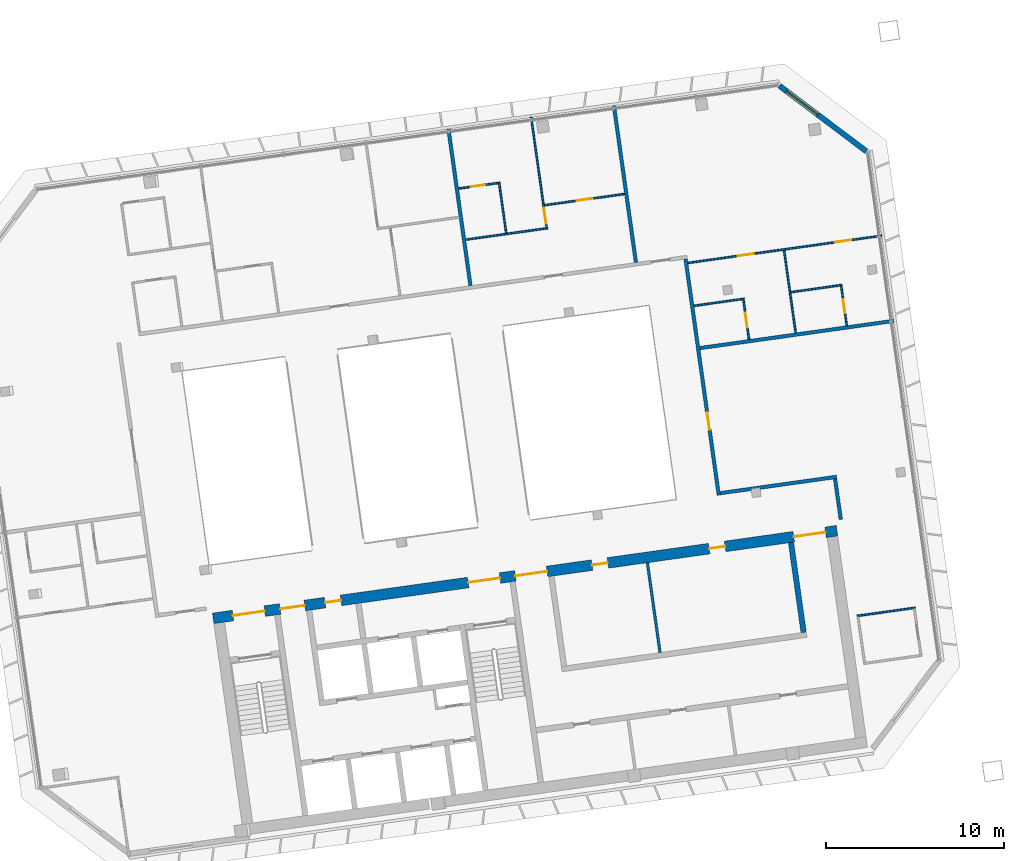
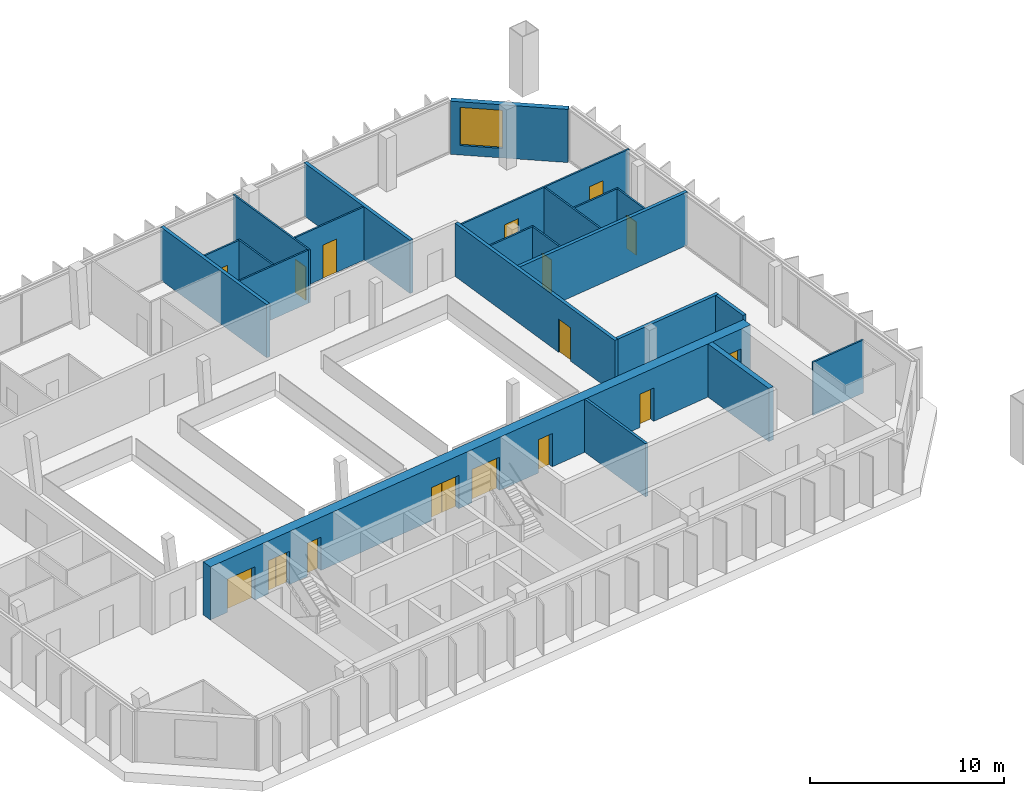
# One storey, part 17 of 20: 22 walls, 16 doors, 1 window, 17 openings.
"""IFC4 building model written with IfcOpenShell, lengths in metres."""

from ifc_helpers import new_model, si_unit, direction, frame, frame_2d, origin, place, context, subcontext, project, spatial, rectangle, extrude, material, layer, layer_set, type_object, element, fill, save


model = new_model("IFC4")

# Units and contexts
model_context = context("Model", 3, precision=1e-05, world=origin(), true_north=direction((0.0, 1.0)))
body_context = subcontext(model_context, "Body", "Model", "MODEL_VIEW")
ifc_project = project(units=[si_unit("LENGTHUNIT", "METRE"), si_unit("AREAUNIT", "SQUARE_METRE"), si_unit("VOLUMEUNIT", "CUBIC_METRE"), si_unit("PLANEANGLEUNIT", "RADIAN"), si_unit("MASSUNIT", "GRAM", prefix="KILO")], contexts=[model_context])

# Site, building, storey
site_placement = place(None, origin())
site = spatial("IfcSite", under=ifc_project, at=site_placement, CompositionType="ELEMENT")
building_placement = place(site_placement, origin())
building = spatial("IfcBuilding", under=site, at=building_placement, Name="Mirante Cascada Hotel Towers", CompositionType="ELEMENT")
storey_placement = place(building_placement, frame((0.0, 0.0, 224.2)))
storey = spatial("IfcBuildingStorey", under=building, at=storey_placement, Name="L53", CompositionType="ELEMENT", Elevation=224.2)

# Walls
ifc_material_1 = material(Name="Fire-rated plasterboard on metal studs")
ifc_layer_1 = layer(ifc_material_1, 0.2)
ifc_layer_set_1 = layer_set([ifc_layer_1], Name="Compartment wall 200 EI 120")
wall_type_1 = type_object("IfcWallType", Name="Compartment wall 200 EI 120", PredefinedType="PARTITIONING", material=ifc_layer_set_1)
wall_1_placement = place(storey_placement, frame((64.1423, -0.635, 0.0), z_axis=(0.0, 0.0, 1.0), x_axis=(0.990269, 0.1391661, 0.0)))
element("IfcWall", 1, at=wall_1_placement, inside=storey, type_object=wall_type_1, Name="Wall 2-L53-06", PredefinedType="PARTITIONING", context=body_context, shape_type="SweptSolid", body=[
    extrude(rectangle(XDim=6.6, YDim=0.2, at=frame_2d((3.3, 0.0))), origin(), (0.0, 0.0, 1.0), 3.35),
])
wall_2_placement = place(storey_placement, frame((62.9964, 7.5181, 0.0), z_axis=(0.0, 0.0, 1.0), x_axis=(0.990267, 0.139181, 0.0)))
element("IfcWall", 2, at=wall_2_placement, inside=storey, type_object=wall_type_1, Name="Wall 2-L53-10", PredefinedType="PARTITIONING", context=body_context, shape_type="SweptSolid", body=[
    extrude(rectangle(XDim=11.0001, YDim=0.2, at=frame_2d((5.5, 0.0))), origin(), (0.0, 0.0, 1.0), 3.35),
])
for number, where, z_axis, x_axis, name in (
    (3, (50.1034, 11.0246, 0.0), (0.0, 0.0, 1.0), (-0.1391794, 0.9902672, 0.0), "Wall 2-L53-36"),
    (4, (58.1631, 21.1448, 0.0), (0.0, 0.0, 1.0), (0.1391794, -0.9902672, 0.0), "Wall 2-L53-39"),
):
    element("IfcWall", number, at=place(storey_placement, frame(where, z_axis=z_axis, x_axis=x_axis)), inside=storey, type_object=wall_type_1, Name=name, PredefinedType="PARTITIONING", context=body_context, shape_type="SweptSolid", body=[
        extrude(rectangle(XDim=8.9, YDim=0.2, at=frame_2d((4.45, 0.0))), origin(), (0.0, 0.0, 1.0), 3.35),
    ])

# Wall, opening, door
wall_3_placement = place(storey_placement, frame((64.0572, -0.748, 0.0), z_axis=(0.0, 0.0, 1.0), x_axis=(-0.1391716, 0.9902683, 0.0)))
wall_3 = element("IfcWall", 5, at=wall_3_placement, inside=storey, type_object=wall_type_1, Name="Wall 2-L53-40", PredefinedType="PARTITIONING", context=body_context, shape_type="SweptSolid", body=[
    extrude(rectangle(XDim=13.4, YDim=0.2, at=frame_2d((6.7, 0.0))), origin(), (0.0, 0.0, 1.0), 3.35),
])
opening_1_placement = place(wall_3_placement, frame((3.7167, 0.0, 0.0)))
opening_1 = element("IfcOpeningElement", 6, at=opening_1_placement, cuts=wall_3, Name="Opening D2-L53-23", PredefinedType="OPENING", context=body_context, shape_type="SweptSolid", body=[
    extrude(rectangle(XDim=1.0, YDim=2.1, at=frame_2d((0.5, 1.05))), frame((0.0, 0.1, 0.0), z_axis=(0.0, -1.0, 0.0), x_axis=(1.0, 0.0, 0.0)), (0.0, 0.0, 1.0), 0.2),
])
ifc_material_2 = material(Name="Fire-rated timber door leaf", Category="wood")
door_type_1 = type_object("IfcDoorType", Name="Entrance door DG1 1000x2100 EI 60", OperationType="SINGLE_SWING_LEFT", PredefinedType="DOOR", material=ifc_material_2)
door_1_placement = place(opening_1_placement, frame((1.0, 0.0, 0.0), z_axis=(0.0, 0.0, 1.0), x_axis=(-1.0, 0.0, 0.0)))
door_1 = element("IfcDoor", 7, at=door_1_placement, inside=storey, type_object=door_type_1, Name="Door D2-L53-23", OperationType="SINGLE_SWING_RIGHT", OverallHeight=2.1, OverallWidth=1.0, PredefinedType="DOOR", context=body_context, shape_type="SweptSolid", body=[
    extrude(rectangle(XDim=1.0, YDim=2.1, at=frame_2d((0.5, 1.05))), frame((0.0, 0.025, 0.0), z_axis=(0.0, -1.0, 0.0), x_axis=(1.0, 0.0, 0.0)), (0.0, 0.0, 1.0), 0.05),
])
fill(opening_1, door_1)

# Walls
wall_4_placement = place(storey_placement, frame((70.593, 0.1706, 0.0), z_axis=(0.0, 0.0, 1.0), x_axis=(0.1391749, -0.9902678, 0.0)))
element("IfcWall", 8, at=wall_4_placement, inside=storey, type_object=wall_type_1, Name="Wall 2-L53-43", PredefinedType="PARTITIONING", context=body_context, shape_type="SweptSolid", body=[
    extrude(rectangle(XDim=2.3, YDim=0.2, at=frame_2d((1.15, 0.0))), origin(), (0.0, 0.0, 1.0), 3.35),
])
ifc_material_3 = material(Name="Masonry block", Category="masonry")
ifc_layer_2 = layer(ifc_material_3, 0.15)
ifc_layer_set_2 = layer_set([ifc_layer_2], Name="Core room partition 150 block EI 30")
wall_type_2 = type_object("IfcWallType", Name="Core room partition 150 block EI 30", PredefinedType="PARTITIONING", material=ifc_layer_set_2)
wall_5_placement = place(storey_placement, frame((60.7561, -9.5935, 0.0), z_axis=(0.0, 0.0, 1.0), x_axis=(-0.1391755, 0.9902677, 0.0)))
element("IfcWall", 9, at=wall_5_placement, inside=storey, type_object=wall_type_2, Name="Core wall partition T2 L53 7", PredefinedType="PARTITIONING", context=body_context, shape_type="SweptSolid", body=[
    extrude(rectangle(XDim=5.1, YDim=0.15, at=frame_2d((2.55, 0.0))), origin(), (0.0, 0.0, 1.0), 3.35),
])
ifc_material_4 = material(Name="Plasterboard on metal studs")
ifc_layer_3 = layer(ifc_material_4, 0.1)
ifc_layer_set_3 = layer_set([ifc_layer_3], Name="Partition 100")
wall_type_3 = type_object("IfcWallType", Name="Partition 100", PredefinedType="PARTITIONING", material=ifc_layer_set_3)
wall_6_placement = place(storey_placement, frame((75.0949, -7.0734, 0.0), z_axis=(0.0, 0.0, 1.0), x_axis=(-0.9902705, -0.1391555, 0.0)))
element("IfcWall", 10, at=wall_6_placement, inside=storey, type_object=wall_type_3, Name="Wall 2-L53-03", PredefinedType="PARTITIONING", context=body_context, shape_type="SweptSolid", body=[
    extrude(rectangle(XDim=3.2999, YDim=0.1, at=frame_2d((1.65, 0.0))), origin(), (0.0, 0.0, 1.0), 3.35),
])
wall_7_placement = place(storey_placement, frame((65.4847, 10.2914, 0.0), z_axis=(0.0, 0.0, 1.0), x_axis=(-0.9902704, -0.1391564, 0.0)))
element("IfcWall", 11, at=wall_7_placement, inside=storey, type_object=wall_type_3, Name="Wall 2-L53-11", PredefinedType="PARTITIONING", context=body_context, shape_type="SweptSolid", body=[
    extrude(rectangle(XDim=2.85, YDim=0.1, at=frame_2d((1.425, 0.0))), origin(), (0.0, 0.0, 1.0), 3.35),
])
wall_8_placement = place(storey_placement, frame((68.1089, 10.6602, 0.0), z_axis=(0.0, 0.0, 1.0), x_axis=(0.9902683, 0.1391714, 0.0)))
element("IfcWall", 12, at=wall_8_placement, inside=storey, type_object=wall_type_3, Name="Wall 2-L53-12", PredefinedType="PARTITIONING", context=body_context, shape_type="SweptSolid", body=[
    extrude(rectangle(XDim=2.9, YDim=0.1, at=frame_2d((1.45, 0.0))), origin(), (0.0, 0.0, 1.0), 3.35),
])

# Wall, openings, doors
wall_9_placement = place(storey_placement, frame((73.2167, 13.8354, 0.0), z_axis=(0.0, 0.0, 1.0), x_axis=(-0.990268, -0.1391733, 0.0)))
wall_9 = element("IfcWall", 13, at=wall_9_placement, inside=storey, type_object=wall_type_3, Name="Wall 2-L53-13", PredefinedType="PARTITIONING", context=body_context, shape_type="SweptSolid", body=[
    extrude(rectangle(XDim=11.0, YDim=0.1, at=frame_2d((5.5, 0.0))), origin(), (0.0, 0.0, 1.0), 3.35),
])
opening_2_placement = place(wall_9_placement, frame((7.275, 0.0, 0.0)))
opening_2 = element("IfcOpeningElement", 14, at=opening_2_placement, cuts=wall_9, Name="Opening D2-L53-04", PredefinedType="OPENING", context=body_context, shape_type="SweptSolid", body=[
    extrude(rectangle(XDim=0.9, YDim=2.1, at=frame_2d((0.45, 1.05))), frame((0.0, 0.05, 0.0), z_axis=(0.0, -1.0, 0.0), x_axis=(1.0, 0.0, 0.0)), (0.0, 0.0, 1.0), 0.1),
])
opening_3_placement = place(wall_9_placement, frame((1.725, 0.0, 0.0)))
opening_3 = element("IfcOpeningElement", 15, at=opening_3_placement, cuts=wall_9, Name="Opening D2-L53-05", PredefinedType="OPENING", context=body_context, shape_type="SweptSolid", body=[
    extrude(rectangle(XDim=0.9, YDim=2.1, at=frame_2d((0.45, 1.05))), frame((0.0, 0.05, 0.0), z_axis=(0.0, -1.0, 0.0), x_axis=(1.0, 0.0, 0.0)), (0.0, 0.0, 1.0), 0.1),
])
ifc_material_5 = material(Name="Timber door leaf", Category="wood")
door_type_2 = type_object("IfcDoorType", Name="Room door DG3 900x2100", OperationType="SINGLE_SWING_LEFT", PredefinedType="DOOR", material=ifc_material_5)
door_2_placement = place(opening_2_placement, frame((0.9, 0.0, 0.0), z_axis=(0.0, 0.0, 1.0), x_axis=(-1.0, 0.0, 0.0)))
door_2 = element("IfcDoor", 16, at=door_2_placement, inside=storey, type_object=door_type_2, Name="Door D2-L53-04", OperationType="SINGLE_SWING_RIGHT", OverallHeight=2.1, OverallWidth=0.9, PredefinedType="DOOR", context=body_context, shape_type="SweptSolid", body=[
    extrude(rectangle(XDim=0.9, YDim=2.1, at=frame_2d((0.45, 1.05))), frame((0.0, 0.025, 0.0), z_axis=(0.0, -1.0, 0.0), x_axis=(1.0, 0.0, 0.0)), (0.0, 0.0, 1.0), 0.05),
])
fill(opening_2, door_2)
door_3_placement = place(opening_3_placement, frame((0.9, 0.0, 0.0), z_axis=(0.0, 0.0, 1.0), x_axis=(-1.0, 0.0, 0.0)))
door_3 = element("IfcDoor", 17, at=door_3_placement, inside=storey, type_object=door_type_2, Name="Door D2-L53-05", OperationType="SINGLE_SWING_RIGHT", OverallHeight=2.1, OverallWidth=0.9, PredefinedType="DOOR", context=body_context, shape_type="SweptSolid", body=[
    extrude(rectangle(XDim=0.9, YDim=2.1, at=frame_2d((0.45, 1.05))), frame((0.0, 0.025, 0.0), z_axis=(0.0, -1.0, 0.0), x_axis=(1.0, 0.0, 0.0)), (0.0, 0.0, 1.0), 0.05),
])
fill(opening_3, door_3)

# Wall
wall_10_placement = place(storey_placement, frame((54.3412, 14.2457, 0.0), z_axis=(0.0, 0.0, 1.0), x_axis=(-0.990269, -0.1391662, 0.0)))
element("IfcWall", 18, at=wall_10_placement, inside=storey, type_object=wall_type_3, Name="Wall 2-L53-15", PredefinedType="PARTITIONING", context=body_context, shape_type="SweptSolid", body=[
    extrude(rectangle(XDim=4.5449, YDim=0.1, at=frame_2d((2.2724, 0.0))), origin(), (0.0, 0.0, 1.0), 3.35),
])

# Wall, opening, door
wall_11_placement = place(storey_placement, frame((58.76, 16.1795, 0.0), z_axis=(0.0, 0.0, 1.0), x_axis=(-0.990269, -0.1391662, 0.0)))
wall_11 = element("IfcWall", 19, at=wall_11_placement, inside=storey, type_object=wall_type_3, Name="Wall 2-L53-19", PredefinedType="PARTITIONING", context=body_context, shape_type="SweptSolid", body=[
    extrude(rectangle(XDim=4.5449, YDim=0.1, at=frame_2d((2.2724, 0.0))), origin(), (0.0, 0.0, 1.0), 3.35),
])
opening_4_placement = place(wall_11_placement, frame((1.7974, 0.0, 0.0)))
opening_4 = element("IfcOpeningElement", 20, at=opening_4_placement, cuts=wall_11, Name="Opening D2-L53-11", PredefinedType="OPENING", context=body_context, shape_type="SweptSolid", body=[
    extrude(rectangle(XDim=0.9, YDim=2.1, at=frame_2d((0.45, 1.05))), frame((0.0, 0.05, 0.0), z_axis=(0.0, -1.0, 0.0), x_axis=(1.0, 0.0, 0.0)), (0.0, 0.0, 1.0), 0.1),
])
door_4_placement = place(opening_4_placement, origin())
door_4 = element("IfcDoor", 21, at=door_4_placement, inside=storey, type_object=door_type_2, Name="Door D2-L53-11", OperationType="SINGLE_SWING_LEFT", OverallHeight=2.1, OverallWidth=0.9, PredefinedType="DOOR", context=body_context, shape_type="SweptSolid", body=[
    extrude(rectangle(XDim=0.9, YDim=2.1, at=frame_2d((0.45, 1.05))), frame((0.0, 0.025, 0.0), z_axis=(0.0, -1.0, 0.0), x_axis=(1.0, 0.0, 0.0)), (0.0, 0.0, 1.0), 0.05),
])
fill(opening_4, door_4)

wall_12_placement = place(storey_placement, frame((51.665, 16.7981, 0.0), z_axis=(0.0, 0.0, 1.0), x_axis=(-0.9902705, -0.1391561, 0.0)))
wall_12 = element("IfcWall", 22, at=wall_12_placement, inside=storey, type_object=wall_type_3, Name="Wall 2-L53-21", PredefinedType="PARTITIONING", context=body_context, shape_type="SweptSolid", body=[
    extrude(rectangle(XDim=2.25, YDim=0.1, at=frame_2d((1.125, 0.0))), origin(), (0.0, 0.0, 1.0), 3.35),
])
opening_5_placement = place(wall_12_placement, frame((0.75, 0.0, 0.0)))
opening_5 = element("IfcOpeningElement", 23, at=opening_5_placement, cuts=wall_12, Name="Opening D2-L53-12", PredefinedType="OPENING", context=body_context, shape_type="SweptSolid", body=[
    extrude(rectangle(XDim=0.8, YDim=2.1, at=frame_2d((0.4, 1.05))), frame((0.0, 0.05, 0.0), z_axis=(0.0, -1.0, 0.0), x_axis=(1.0, 0.0, 0.0)), (0.0, 0.0, 1.0), 0.1),
])
ifc_material_6 = material(Name="Timber door leaf", Category="wood")
door_type_3 = type_object("IfcDoorType", Name="Bathroom door DG4 800x2100", OperationType="SINGLE_SWING_LEFT", PredefinedType="DOOR", material=ifc_material_6)
door_5_placement = place(opening_5_placement, frame((0.8, 0.0, 0.0), z_axis=(0.0, 0.0, 1.0), x_axis=(-1.0, 0.0, 0.0)))
door_5 = element("IfcDoor", 24, at=door_5_placement, inside=storey, type_object=door_type_3, Name="Door D2-L53-12", OperationType="SINGLE_SWING_RIGHT", OverallHeight=2.1, OverallWidth=0.8, PredefinedType="DOOR", context=body_context, shape_type="SweptSolid", body=[
    extrude(rectangle(XDim=0.8, YDim=2.1, at=frame_2d((0.4, 1.05))), frame((0.0, 0.025, 0.0), z_axis=(0.0, -1.0, 0.0), x_axis=(1.0, 0.0, 0.0)), (0.0, 0.0, 1.0), 0.05),
])
fill(opening_5, door_5)

# Wall
wall_13_placement = place(storey_placement, frame((51.7076, 16.8546, 0.0), z_axis=(0.0, 0.0, 1.0), x_axis=(0.1391714, -0.9902683, 0.0)))
element("IfcWall", 25, at=wall_13_placement, inside=storey, type_object=wall_type_3, Name="Wall 2-L53-37", PredefinedType="PARTITIONING", context=body_context, shape_type="SweptSolid", body=[
    extrude(rectangle(XDim=2.9, YDim=0.1, at=frame_2d((1.45, 0.0))), origin(), (0.0, 0.0, 1.0), 3.35),
])

# Wall, opening, door
wall_14_placement = place(storey_placement, frame((54.3977, 14.2032, 0.0), z_axis=(0.0, 0.0, 1.0), x_axis=(-0.139181, 0.990267, 0.0)))
wall_14 = element("IfcWall", 26, at=wall_14_placement, inside=storey, type_object=wall_type_3, Name="Wall 2-L53-38", PredefinedType="PARTITIONING", context=body_context, shape_type="SweptSolid", body=[
    extrude(rectangle(XDim=6.35, YDim=0.1, at=frame_2d((3.175, 0.0))), origin(), (0.0, 0.0, 1.0), 3.35),
])
opening_6_placement = place(wall_14_placement, frame((0.3, 0.0, 0.0)))
opening_6 = element("IfcOpeningElement", 27, at=opening_6_placement, cuts=wall_14, Name="Opening D2-L53-22", PredefinedType="OPENING", context=body_context, shape_type="SweptSolid", body=[
    extrude(rectangle(XDim=0.9, YDim=2.1, at=frame_2d((0.45, 1.05))), frame((0.0, 0.05, 0.0), z_axis=(0.0, -1.0, 0.0), x_axis=(1.0, 0.0, 0.0)), (0.0, 0.0, 1.0), 0.1),
])
door_6_placement = place(opening_6_placement, frame((0.9, 0.0, 0.0), z_axis=(0.0, 0.0, 1.0), x_axis=(-1.0, 0.0, 0.0)))
door_6 = element("IfcDoor", 28, at=door_6_placement, inside=storey, type_object=door_type_2, Name="Door D2-L53-22", OperationType="SINGLE_SWING_RIGHT", OverallHeight=2.1, OverallWidth=0.9, PredefinedType="DOOR", context=body_context, shape_type="SweptSolid", body=[
    extrude(rectangle(XDim=0.9, YDim=2.1, at=frame_2d((0.45, 1.05))), frame((0.0, 0.025, 0.0), z_axis=(0.0, -1.0, 0.0), x_axis=(1.0, 0.0, 0.0)), (0.0, 0.0, 1.0), 0.05),
])
fill(opening_6, door_6)

wall_15_placement = place(storey_placement, frame((65.4421, 10.235, 0.0), z_axis=(0.0, 0.0, 1.0), x_axis=(0.1391997, -0.9902643, 0.0)))
wall_15 = element("IfcWall", 29, at=wall_15_placement, inside=storey, type_object=wall_type_3, Name="Wall 2-L53-41", PredefinedType="PARTITIONING", context=body_context, shape_type="SweptSolid", body=[
    extrude(rectangle(XDim=2.25, YDim=0.1, at=frame_2d((1.125, 0.0))), origin(), (0.0, 0.0, 1.0), 3.35),
])
opening_7_placement = place(wall_15_placement, frame((0.75, 0.0, 0.0)))
opening_7 = element("IfcOpeningElement", 30, at=opening_7_placement, cuts=wall_15, Name="Opening D2-L53-24", PredefinedType="OPENING", context=body_context, shape_type="SweptSolid", body=[
    extrude(rectangle(XDim=0.8, YDim=2.1, at=frame_2d((0.4, 1.05))), frame((0.0, 0.05, 0.0), z_axis=(0.0, -1.0, 0.0), x_axis=(1.0, 0.0, 0.0)), (0.0, 0.0, 1.0), 0.1),
])
door_7_placement = place(opening_7_placement, frame((0.8, 0.0, 0.0), z_axis=(0.0, 0.0, 1.0), x_axis=(-1.0, 0.0, 0.0)))
door_7 = element("IfcDoor", 31, at=door_7_placement, inside=storey, type_object=door_type_3, Name="Door D2-L53-24", OperationType="SINGLE_SWING_RIGHT", OverallHeight=2.1, OverallWidth=0.8, PredefinedType="DOOR", context=body_context, shape_type="SweptSolid", body=[
    extrude(rectangle(XDim=0.8, YDim=2.1, at=frame_2d((0.4, 1.05))), frame((0.0, 0.025, 0.0), z_axis=(0.0, -1.0, 0.0), x_axis=(1.0, 0.0, 0.0)), (0.0, 0.0, 1.0), 0.05),
])
fill(opening_7, door_7)

# Wall
wall_16_placement = place(storey_placement, frame((68.3795, 8.3757, 0.0), z_axis=(0.0, 0.0, 1.0), x_axis=(-0.139173, 0.9902681, 0.0)))
element("IfcWall", 32, at=wall_16_placement, inside=storey, type_object=wall_type_3, Name="Wall 2-L53-42", PredefinedType="PARTITIONING", context=body_context, shape_type="SweptSolid", body=[
    extrude(rectangle(XDim=4.6834, YDim=0.1, at=frame_2d((2.3417, 0.0))), origin(), (0.0, 0.0, 1.0), 3.35),
])

# Wall, opening, door
wall_17_placement = place(storey_placement, frame((70.9381, 11.0074, 0.0), z_axis=(0.0, 0.0, 1.0), x_axis=(0.1391997, -0.9902643, 0.0)))
wall_17 = element("IfcWall", 33, at=wall_17_placement, inside=storey, type_object=wall_type_3, Name="Wall 2-L53-45", PredefinedType="PARTITIONING", context=body_context, shape_type="SweptSolid", body=[
    extrude(rectangle(XDim=2.25, YDim=0.1, at=frame_2d((1.125, 0.0))), origin(), (0.0, 0.0, 1.0), 3.35),
])
opening_8_placement = place(wall_17_placement, frame((0.75, 0.0, 0.0)))
opening_8 = element("IfcOpeningElement", 34, at=opening_8_placement, cuts=wall_17, Name="Opening D2-L53-25", PredefinedType="OPENING", context=body_context, shape_type="SweptSolid", body=[
    extrude(rectangle(XDim=0.8, YDim=2.1, at=frame_2d((0.4, 1.05))), frame((0.0, 0.05, 0.0), z_axis=(0.0, -1.0, 0.0), x_axis=(1.0, 0.0, 0.0)), (0.0, 0.0, 1.0), 0.1),
])
door_8_placement = place(opening_8_placement, frame((0.8, 0.0, 0.0), z_axis=(0.0, 0.0, 1.0), x_axis=(-1.0, 0.0, 0.0)))
door_8 = element("IfcDoor", 35, at=door_8_placement, inside=storey, type_object=door_type_3, Name="Door D2-L53-25", OperationType="SINGLE_SWING_RIGHT", OverallHeight=2.1, OverallWidth=0.8, PredefinedType="DOOR", context=body_context, shape_type="SweptSolid", body=[
    extrude(rectangle(XDim=0.8, YDim=2.1, at=frame_2d((0.4, 1.05))), frame((0.0, 0.025, 0.0), z_axis=(0.0, -1.0, 0.0), x_axis=(1.0, 0.0, 0.0)), (0.0, 0.0, 1.0), 0.05),
])
fill(opening_8, door_8)

# Wall, opening, window
ifc_material_7 = material(Name="Precast concrete C40/50", Category="concrete")
ifc_layer_4 = layer(ifc_material_7, 0.3)
ifc_layer_set_4 = layer_set([ifc_layer_4], Name="Precast concrete C40/50 cladding wall 300")
wall_type_4 = type_object("IfcWallType", Name="Precast concrete C40/50 cladding wall 300", PredefinedType="STANDARD", material=ifc_layer_set_4)
wall_18_placement = place(storey_placement, frame((72.3546, 18.5766, 0.0), z_axis=(0.0, 0.0, 1.0), x_axis=(-0.7986362, 0.6018141, 0.0)))
wall_18 = element("IfcWall", 36, at=wall_18_placement, inside=storey, type_object=wall_type_4, Name="Corner cladding wall T2 L53 outer front", PredefinedType="STANDARD", context=body_context, shape_type="SweptSolid", body=[
    extrude(rectangle(XDim=6.1157, YDim=0.3, at=frame_2d((3.0578, 0.0))), origin(), (0.0, 0.0, 1.0), 3.35),
])
opening_9_placement = place(wall_18_placement, frame((3.4182, 0.0, 0.6)))
opening_9 = element("IfcOpeningElement", 37, at=opening_9_placement, cuts=wall_18, Name="Opening W2-53-03", PredefinedType="OPENING", context=body_context, shape_type="SweptSolid", body=[
    extrude(rectangle(XDim=2.2, YDim=2.4, at=frame_2d((1.1, 1.2))), frame((0.0, 0.15, 0.0), z_axis=(0.0, -1.0, 0.0), x_axis=(1.0, 0.0, 0.0)), (0.0, 0.0, 1.0), 0.3),
])
ifc_material_8 = material(Name="Aluminium frame with clear double glazing", Category="aluminium")
window_type = type_object("IfcWindowType", Name="Corner suite window 2200x2400", PartitioningType="DOUBLE_PANEL_VERTICAL", PredefinedType="WINDOW", material=ifc_material_8)
window_placement = place(opening_9_placement, origin())
window = element("IfcWindow", 38, at=window_placement, inside=storey, type_object=window_type, Name="Window W2-53-03", OverallHeight=2.4, OverallWidth=2.2, PartitioningType="SINGLE_PANEL", PredefinedType="WINDOW", context=body_context, shape_type="SweptSolid", body=[
    extrude(rectangle(XDim=2.2, YDim=2.4, at=frame_2d((1.1, 1.2))), frame((0.0, 0.03, 0.0), z_axis=(0.0, -1.0, 0.0), x_axis=(1.0, 0.0, 0.0)), (0.0, 0.0, 1.0), 0.06),
])
fill(opening_9, window)

# Wall
ifc_material_9 = material(Name="Concrete C50/60", Category="concrete")
ifc_layer_5 = layer(ifc_material_9, 0.3)
ifc_layer_set_5 = layer_set([ifc_layer_5], Name="RC core wall 300 C50/60")
wall_type_5 = type_object("IfcWallType", Name="RC core wall 300 C50/60", PredefinedType="SHEAR", material=ifc_layer_set_5)
wall_19_placement = place(storey_placement, frame((68.8268, -8.4592, 0.0), z_axis=(0.0, 0.0, 1.0), x_axis=(-0.1391755, 0.9902677, 0.0)))
element("IfcWall", 39, at=wall_19_placement, inside=storey, type_object=wall_type_5, Name="Core wall T2:L53:27", PredefinedType="SHEAR", context=body_context, shape_type="SweptSolid", body=[
    extrude(rectangle(XDim=5.1, YDim=0.3, at=frame_2d((2.55, 0.0))), origin(), (0.0, 0.0, 1.0), 3.35),
])

# Wall, openings, doors
ifc_material_10 = material(Name="Concrete C50/60", Category="concrete")
ifc_layer_6 = layer(ifc_material_10, 0.6)
ifc_layer_set_6 = layer_set([ifc_layer_6], Name="RC core wall 600 C50/60")
wall_type_6 = type_object("IfcWallType", Name="RC core wall 600 C50/60", PredefinedType="SHEAR", material=ifc_layer_set_6)
wall_20_placement = place(storey_placement, frame((35.644, -7.6697, 0.0), z_axis=(0.0, 0.0, 1.0), x_axis=(0.9902682, 0.1391723, 0.0)))
wall_20 = element("IfcWall", 40, at=wall_20_placement, inside=storey, type_object=wall_type_6, Name="Core wall T2:L53:2", PredefinedType="SHEAR", context=body_context, shape_type="SweptSolid", body=[
    extrude(rectangle(XDim=35.4, YDim=0.6, at=frame_2d((17.7, 0.0))), origin(), (0.0, 0.0, 1.0), 3.35),
])
opening_10_placement = place(wall_20_placement, frame((1.125, 0.0, 0.0)))
opening_10 = element("IfcOpeningElement", 41, at=opening_10_placement, cuts=wall_20, Name="Opening D2-53-C08", PredefinedType="OPENING", context=body_context, shape_type="SweptSolid", body=[
    extrude(rectangle(XDim=1.8, YDim=2.1, at=frame_2d((0.9, 1.05))), frame((0.0, 0.3, 0.0), z_axis=(0.0, -1.0, 0.0), x_axis=(1.0, 0.0, 0.0)), (0.0, 0.0, 1.0), 0.6),
])
opening_11_placement = place(wall_20_placement, frame((14.475, 0.0, 0.0)))
opening_11 = element("IfcOpeningElement", 42, at=opening_11_placement, cuts=wall_20, Name="Opening D2-53-C10", PredefinedType="OPENING", context=body_context, shape_type="SweptSolid", body=[
    extrude(rectangle(XDim=1.8, YDim=2.1, at=frame_2d((0.9, 1.05))), frame((0.0, 0.3, 0.0), z_axis=(0.0, -1.0, 0.0), x_axis=(1.0, 0.0, 0.0)), (0.0, 0.0, 1.0), 0.6),
])
opening_12_placement = place(wall_20_placement, frame((3.8, 0.0, 0.0)))
opening_12 = element("IfcOpeningElement", 43, at=opening_12_placement, cuts=wall_20, Name="Opening D2-53-C11", PredefinedType="OPENING", context=body_context, shape_type="SweptSolid", body=[
    extrude(rectangle(XDim=1.4, YDim=2.1, at=frame_2d((0.7, 1.05))), frame((0.0, 0.3, 0.0), z_axis=(0.0, -1.0, 0.0), x_axis=(1.0, 0.0, 0.0)), (0.0, 0.0, 1.0), 0.6),
])
opening_13_placement = place(wall_20_placement, frame((17.15, 0.0, 0.0)))
opening_13 = element("IfcOpeningElement", 44, at=opening_13_placement, cuts=wall_20, Name="Opening D2-53-C12", PredefinedType="OPENING", context=body_context, shape_type="SweptSolid", body=[
    extrude(rectangle(XDim=1.8, YDim=2.1, at=frame_2d((0.9, 1.05))), frame((0.0, 0.3, 0.0), z_axis=(0.0, -1.0, 0.0), x_axis=(1.0, 0.0, 0.0)), (0.0, 0.0, 1.0), 0.6),
])
opening_14_placement = place(wall_20_placement, frame((32.95, 0.0, 0.0)))
opening_14 = element("IfcOpeningElement", 45, at=opening_14_placement, cuts=wall_20, Name="Opening D2-53-C13", PredefinedType="OPENING", context=body_context, shape_type="SweptSolid", body=[
    extrude(rectangle(XDim=1.8, YDim=2.1, at=frame_2d((0.9, 1.05))), frame((0.0, 0.3, 0.0), z_axis=(0.0, -1.0, 0.0), x_axis=(1.0, 0.0, 0.0)), (0.0, 0.0, 1.0), 0.6),
])
opening_15_placement = place(wall_20_placement, frame((6.35, 0.0, 0.0)))
opening_15 = element("IfcOpeningElement", 46, at=opening_15_placement, cuts=wall_20, Name="Opening D2-53-C16", PredefinedType="OPENING", context=body_context, shape_type="SweptSolid", body=[
    extrude(rectangle(XDim=0.9, YDim=2.1, at=frame_2d((0.45, 1.05))), frame((0.0, 0.3, 0.0), z_axis=(0.0, -1.0, 0.0), x_axis=(1.0, 0.0, 0.0)), (0.0, 0.0, 1.0), 0.6),
])
opening_16_placement = place(wall_20_placement, frame((21.5, 0.0, 0.0)))
opening_16 = element("IfcOpeningElement", 47, at=opening_16_placement, cuts=wall_20, Name="Opening D2-53-C20", PredefinedType="OPENING", context=body_context, shape_type="SweptSolid", body=[
    extrude(rectangle(XDim=0.9, YDim=2.1, at=frame_2d((0.45, 1.05))), frame((0.0, 0.3, 0.0), z_axis=(0.0, -1.0, 0.0), x_axis=(1.0, 0.0, 0.0)), (0.0, 0.0, 1.0), 0.6),
])
opening_17_placement = place(wall_20_placement, frame((28.15, 0.0, 0.0)))
opening_17 = element("IfcOpeningElement", 48, at=opening_17_placement, cuts=wall_20, Name="Opening D2-53-C21", PredefinedType="OPENING", context=body_context, shape_type="SweptSolid", body=[
    extrude(rectangle(XDim=0.9, YDim=2.1, at=frame_2d((0.45, 1.05))), frame((0.0, 0.3, 0.0), z_axis=(0.0, -1.0, 0.0), x_axis=(1.0, 0.0, 0.0)), (0.0, 0.0, 1.0), 0.6),
])
ifc_material_11 = material(Name="Hollow metal fire door leaf")
door_type_4 = type_object("IfcDoorType", Name="Double fire door 1400x2100 FD60", OperationType="DOUBLE_DOOR_SINGLE_SWING", PredefinedType="DOOR", material=ifc_material_11)
door_9_placement = place(opening_12_placement, origin())
door_9 = element("IfcDoor", 49, at=door_9_placement, inside=storey, type_object=door_type_4, Name="Exit door to gallery T2 L53 11", OperationType="DOUBLE_DOOR_SINGLE_SWING", OverallHeight=2.1, OverallWidth=1.4, PredefinedType="DOOR", context=body_context, shape_type="SweptSolid", body=[
    extrude(rectangle(XDim=0.695, YDim=2.1, at=frame_2d((0.3475, 1.05))), frame((0.0, 0.025, 0.0), z_axis=(0.0, -1.0, 0.0), x_axis=(1.0, 0.0, 0.0)), (0.0, 0.0, 1.0), 0.05),
    extrude(rectangle(XDim=0.695, YDim=2.1, at=frame_2d((1.0525, 1.05))), frame((0.0, 0.025, 0.0), z_axis=(0.0, -1.0, 0.0), x_axis=(1.0, 0.0, 0.0)), (0.0, 0.0, 1.0), 0.05),
])
fill(opening_12, door_9)
ifc_material_12 = material(Name="Hollow metal fire door leaf")
door_type_5 = type_object("IfcDoorType", Name="Double fire door 1800x2100 FD60", OperationType="DOUBLE_DOOR_SINGLE_SWING", PredefinedType="DOOR", material=ifc_material_12)
door_10_placement = place(opening_10_placement, frame((1.8, 0.0, 0.0), z_axis=(0.0, 0.0, 1.0), x_axis=(-1.0, 0.0, 0.0)))
door_10 = element("IfcDoor", 50, at=door_10_placement, inside=storey, type_object=door_type_5, Name="Exit door to gallery T2 L53 8", OperationType="DOUBLE_DOOR_SINGLE_SWING", OverallHeight=2.1, OverallWidth=1.8, PredefinedType="DOOR", context=body_context, shape_type="SweptSolid", body=[
    extrude(rectangle(XDim=0.895, YDim=2.1, at=frame_2d((0.4475, 1.05))), frame((0.0, 0.025, 0.0), z_axis=(0.0, -1.0, 0.0), x_axis=(1.0, 0.0, 0.0)), (0.0, 0.0, 1.0), 0.05),
    extrude(rectangle(XDim=0.895, YDim=2.1, at=frame_2d((1.3525, 1.05))), frame((0.0, 0.025, 0.0), z_axis=(0.0, -1.0, 0.0), x_axis=(1.0, 0.0, 0.0)), (0.0, 0.0, 1.0), 0.05),
])
fill(opening_10, door_10)
door_11_placement = place(opening_11_placement, frame((1.8, 0.0, 0.0), z_axis=(0.0, 0.0, 1.0), x_axis=(-1.0, 0.0, 0.0)))
door_11 = element("IfcDoor", 51, at=door_11_placement, inside=storey, type_object=door_type_5, Name="Exit door to gallery T2 L53 10", OperationType="DOUBLE_DOOR_SINGLE_SWING", OverallHeight=2.1, OverallWidth=1.8, PredefinedType="DOOR", context=body_context, shape_type="SweptSolid", body=[
    extrude(rectangle(XDim=0.895, YDim=2.1, at=frame_2d((0.4475, 1.05))), frame((0.0, 0.025, 0.0), z_axis=(0.0, -1.0, 0.0), x_axis=(1.0, 0.0, 0.0)), (0.0, 0.0, 1.0), 0.05),
    extrude(rectangle(XDim=0.895, YDim=2.1, at=frame_2d((1.3525, 1.05))), frame((0.0, 0.025, 0.0), z_axis=(0.0, -1.0, 0.0), x_axis=(1.0, 0.0, 0.0)), (0.0, 0.0, 1.0), 0.05),
])
fill(opening_11, door_11)
door_12_placement = place(opening_13_placement, origin())
door_12 = element("IfcDoor", 52, at=door_12_placement, inside=storey, type_object=door_type_5, Name="Exit door to gallery T2 L53 12", OperationType="DOUBLE_DOOR_SINGLE_SWING", OverallHeight=2.1, OverallWidth=1.8, PredefinedType="DOOR", context=body_context, shape_type="SweptSolid", body=[
    extrude(rectangle(XDim=0.895, YDim=2.1, at=frame_2d((0.4475, 1.05))), frame((0.0, 0.025, 0.0), z_axis=(0.0, -1.0, 0.0), x_axis=(1.0, 0.0, 0.0)), (0.0, 0.0, 1.0), 0.05),
    extrude(rectangle(XDim=0.895, YDim=2.1, at=frame_2d((1.3525, 1.05))), frame((0.0, 0.025, 0.0), z_axis=(0.0, -1.0, 0.0), x_axis=(1.0, 0.0, 0.0)), (0.0, 0.0, 1.0), 0.05),
])
fill(opening_13, door_12)
door_13_placement = place(opening_14_placement, origin())
door_13 = element("IfcDoor", 53, at=door_13_placement, inside=storey, type_object=door_type_5, Name="Exit door to gallery T2 L53 13", OperationType="DOUBLE_DOOR_SINGLE_SWING", OverallHeight=2.1, OverallWidth=1.8, PredefinedType="DOOR", context=body_context, shape_type="SweptSolid", body=[
    extrude(rectangle(XDim=0.895, YDim=2.1, at=frame_2d((0.4475, 1.05))), frame((0.0, 0.025, 0.0), z_axis=(0.0, -1.0, 0.0), x_axis=(1.0, 0.0, 0.0)), (0.0, 0.0, 1.0), 0.05),
    extrude(rectangle(XDim=0.895, YDim=2.1, at=frame_2d((1.3525, 1.05))), frame((0.0, 0.025, 0.0), z_axis=(0.0, -1.0, 0.0), x_axis=(1.0, 0.0, 0.0)), (0.0, 0.0, 1.0), 0.05),
])
fill(opening_14, door_13)
ifc_material_13 = material(Name="Hollow metal fire door leaf")
door_type_6 = type_object("IfcDoorType", Name="Fire door 900x2100 FD60", OperationType="NOTDEFINED", PredefinedType="DOOR", material=ifc_material_13)
door_14_placement = place(opening_15_placement, frame((0.9, 0.0, 0.0), z_axis=(0.0, 0.0, 1.0), x_axis=(-1.0, 0.0, 0.0)))
door_14 = element("IfcDoor", 54, at=door_14_placement, inside=storey, type_object=door_type_6, Name="Room door T2 L53 16", OperationType="SINGLE_SWING_LEFT", OverallHeight=2.1, OverallWidth=0.9, PredefinedType="DOOR", context=body_context, shape_type="SweptSolid", body=[
    extrude(rectangle(XDim=0.9, YDim=2.1, at=frame_2d((0.45, 1.05))), frame((0.0, 0.025, 0.0), z_axis=(0.0, -1.0, 0.0), x_axis=(1.0, 0.0, 0.0)), (0.0, 0.0, 1.0), 0.05),
])
fill(opening_15, door_14)
door_15_placement = place(opening_16_placement, frame((0.9, 0.0, 0.0), z_axis=(0.0, 0.0, 1.0), x_axis=(-1.0, 0.0, 0.0)))
door_15 = element("IfcDoor", 55, at=door_15_placement, inside=storey, type_object=door_type_6, Name="Room door T2 L53 20", OperationType="SINGLE_SWING_RIGHT", OverallHeight=2.1, OverallWidth=0.9, PredefinedType="DOOR", context=body_context, shape_type="SweptSolid", body=[
    extrude(rectangle(XDim=0.9, YDim=2.1, at=frame_2d((0.45, 1.05))), frame((0.0, 0.025, 0.0), z_axis=(0.0, -1.0, 0.0), x_axis=(1.0, 0.0, 0.0)), (0.0, 0.0, 1.0), 0.05),
])
fill(opening_16, door_15)
door_16_placement = place(opening_17_placement, frame((0.9, 0.0, 0.0), z_axis=(0.0, 0.0, 1.0), x_axis=(-1.0, 0.0, 0.0)))
door_16 = element("IfcDoor", 56, at=door_16_placement, inside=storey, type_object=door_type_6, Name="Room door T2 L53 21", OperationType="SINGLE_SWING_RIGHT", OverallHeight=2.1, OverallWidth=0.9, PredefinedType="DOOR", context=body_context, shape_type="SweptSolid", body=[
    extrude(rectangle(XDim=0.9, YDim=2.1, at=frame_2d((0.45, 1.05))), frame((0.0, 0.025, 0.0), z_axis=(0.0, -1.0, 0.0), x_axis=(1.0, 0.0, 0.0)), (0.0, 0.0, 1.0), 0.05),
])
fill(opening_17, door_16)

save(model, "model.ifc")
